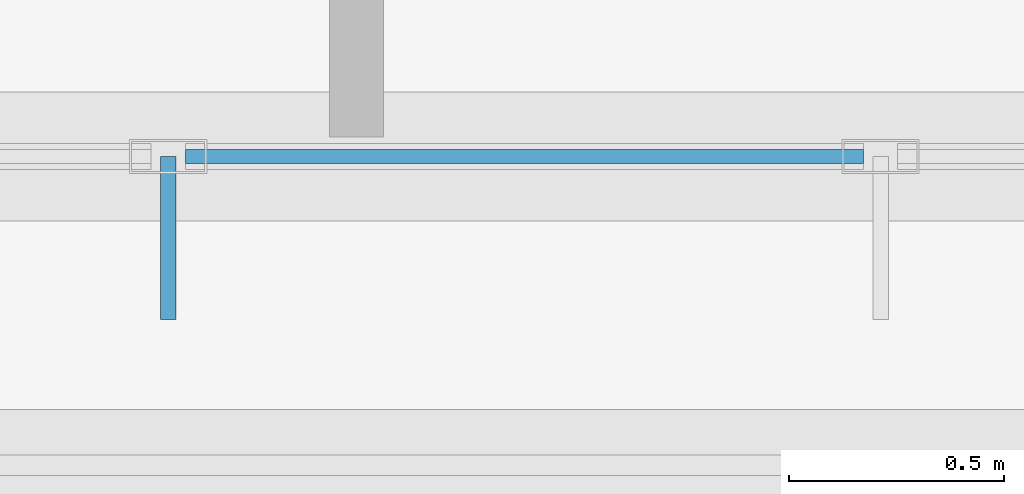
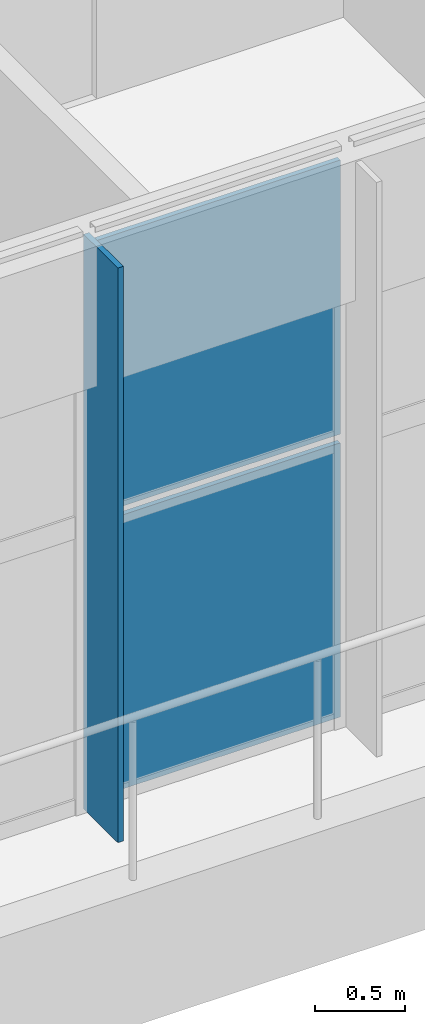
# One storey, part 30 of 44: 3 plates, 1 element without a shape of its own.
"""IFC4 building model written with IfcOpenShell, lengths in metres."""

import ifcopenshell
import ifcopenshell.guid

model = None  # the IFC model being written
_history = None  # IfcOwnerHistory: only IFC2X3 demands one
_inside = {}  # id of a spatial element -> (the spatial element, [elements in it])
_under = {}  # id of a project, library or spatial element -> (it, [spatial elements below it])
_declared = {}  # id of a project -> (the project, [libraries it declares])
_typed = {}  # id of a type object -> (the type object, [elements of that type])
_made_of = {}  # id of a material, layer set ... -> (it, [elements and type objects made of it])


def new_model(schema):
    """Start an empty IFC model of exactly this schema.

    Asked for "IFC4X3", IfcOpenShell would pick the latest addendum, in which some entities
    have other attributes; the version numbers below select the first issue.
    IFC2X3 requires an IfcOwnerHistory on every rooted entity: one is made here for all.
    """
    global model, _history
    if schema == "IFC4X3":
        model = ifcopenshell.file(schema_version=(4, 3, 0, 0))
    else:
        model = ifcopenshell.file(schema=schema)
    _inside.clear()
    _under.clear()
    _declared.clear()
    _typed.clear()
    _made_of.clear()
    _history = None
    if model.schema == "IFC2X3":
        org = make("IfcOrganization", Name="unknown")
        user = make(
            "IfcPersonAndOrganization",
            ThePerson=make("IfcPerson", FamilyName="unknown"),
            TheOrganization=org,
        )
        app = make(
            "IfcApplication",
            ApplicationDeveloper=org,
            Version="unknown",
            ApplicationFullName="unknown",
            ApplicationIdentifier="unknown",
        )
        _history = make(
            "IfcOwnerHistory",
            OwningUser=user,
            OwningApplication=app,
            ChangeAction="ADDED",
            CreationDate=0,
        )
    return model


def make(cls, **values):
    """One entity of the class cls with the attributes given. An attribute that is None is left unset."""
    return model.create_entity(
        cls, **{name: value for name, value in values.items() if value is not None}
    )


def rooted(cls, **values):
    """An entity with a GlobalId (a new one), such as an element, a storey or a relation."""
    return make(cls, GlobalId=ifcopenshell.guid.new(), OwnerHistory=_history, **values)


def si_unit(unit_type, name, prefix=None):
    """IfcSIUnit, for example si_unit("LENGTHUNIT", "METRE", prefix="MILLI")."""
    return make("IfcSIUnit", UnitType=unit_type, Prefix=prefix, Name=name)


def assignment(units):
    """IfcUnitAssignment: the units of a project."""
    return None if units is None else make("IfcUnitAssignment", Units=units)


def point(xyz):
    """IfcCartesianPoint."""
    return None if xyz is None else make("IfcCartesianPoint", Coordinates=xyz)


def direction(xyz):
    """IfcDirection."""
    return None if xyz is None else make("IfcDirection", DirectionRatios=xyz)


def frame(location, z_axis=None, x_axis=None):
    """IfcAxis2Placement3D, a coordinate frame: its origin and axes. An axis left out is left unset."""
    return make(
        "IfcAxis2Placement3D",
        Location=point(location),
        Axis=direction(z_axis),
        RefDirection=direction(x_axis),
    )


def frame_2d(location, x_axis=None):
    """IfcAxis2Placement2D, a coordinate frame in the plane: its origin and x axis."""
    return make(
        "IfcAxis2Placement2D", Location=point(location), RefDirection=direction(x_axis)
    )


def origin():
    """The frame at (0, 0, 0) with its axes left unset."""
    return frame((0.0, 0.0, 0.0))


def origin_2d():
    """The frame at (0, 0) in the plane with its x axis left unset."""
    return frame_2d((0.0, 0.0))


def place(relative_to, where):
    """IfcLocalPlacement: puts the frame where relative to a parent placement (None: the world)."""
    return make(
        "IfcLocalPlacement", PlacementRelTo=relative_to, RelativePlacement=where
    )


def context(
    kind, dimensions, precision=None, world=None, true_north=None, identifier=None
):
    """IfcGeometricRepresentationContext, for example the 3D "Model" context."""
    return make(
        "IfcGeometricRepresentationContext",
        ContextIdentifier=identifier,
        ContextType=kind,
        CoordinateSpaceDimension=dimensions,
        Precision=precision,
        WorldCoordinateSystem=world,
        TrueNorth=true_north,
    )


def subcontext(parent, identifier, kind, view, scale=None):
    """IfcGeometricRepresentationSubContext, for example "Body" below "Model"."""
    return make(
        "IfcGeometricRepresentationSubContext",
        ContextIdentifier=identifier,
        ContextType=kind,
        ParentContext=parent,
        TargetScale=scale,
        TargetView=view,
    )


def project(units=None, contexts=None):
    """IfcProject with its units and contexts."""
    return rooted(
        "IfcProject",
        Name="project",
        RepresentationContexts=contexts,
        UnitsInContext=assignment(units),
    )


def spatial(cls, under=None, at=None, **own):
    """A site, building, storey or space (cls), placed at a placement, below another one or the project."""
    s = rooted(cls, ObjectPlacement=at, **own)
    if under is not None:
        _under.setdefault(under.id(), (under, []))[1].append(s)
    return s


def polyline(points):
    """IfcPolyline through the points."""
    return make("IfcPolyline", Points=[point(p) for p in points])


def profile(cls, at=None, kind="AREA", **sizes):
    """A parametric profile (cls). Its sizes go by their IFC names, for example OverallWidth=200.0."""
    return make(cls, ProfileType=kind, Position=at, **sizes)


def rectangle(**sizes):
    """IfcRectangleProfileDef."""
    return profile("IfcRectangleProfileDef", **sizes)


def outline(outer, holes=None, kind="AREA"):
    """IfcArbitraryClosedProfileDef: a profile drawn as a closed curve; with holes, ...WithVoids."""
    if holes is None:
        return make("IfcArbitraryClosedProfileDef", ProfileType=kind, OuterCurve=outer)
    return make(
        "IfcArbitraryProfileDefWithVoids",
        ProfileType=kind,
        OuterCurve=outer,
        InnerCurves=holes,
    )


def extrude(swept, where, along, depth):
    """IfcExtrudedAreaSolid: the profile swept, set in the frame where, extruded along a direction by depth."""
    return make(
        "IfcExtrudedAreaSolid",
        SweptArea=swept,
        Position=where,
        ExtrudedDirection=direction(along),
        Depth=depth,
    )


def shape(context_of_items, identifier, shape_type, items):
    """IfcShapeRepresentation: the items that make up one representation, for example the "Body"."""
    return make(
        "IfcShapeRepresentation",
        ContextOfItems=context_of_items,
        RepresentationIdentifier=identifier,
        RepresentationType=shape_type,
        Items=items,
    )


def material(Name=None, Category=None):
    """IfcMaterial."""
    return make("IfcMaterial", Name=Name, Category=Category)


def layer(
    of_material, thickness, ventilated=None, Name=None, Category=None, Priority=None
):
    """IfcMaterialLayer: one layer of a wall or slab, of a material (None: an air gap)."""
    return make(
        "IfcMaterialLayer",
        Material=of_material,
        LayerThickness=thickness,
        IsVentilated=ventilated,
        Name=Name,
        Category=Category,
        Priority=Priority,
    )


def layer_set(layers, Name=None):
    """IfcMaterialLayerSet."""
    return make("IfcMaterialLayerSet", MaterialLayers=layers, LayerSetName=Name)


def made_of(thing, what):
    """Note that an element or type object is made of a material, layer set ...; save() writes the relation."""
    if what is not None:
        _made_of.setdefault(what.id(), (what, []))[1].append(thing)
    return thing


def type_object(cls, material=None, **own):
    """A type object (cls), such as IfcWallType, which elements share."""
    return made_of(rooted(cls, **own), material)


def element(
    cls,
    number,
    at=None,
    inside=None,
    cuts=None,
    type_object=None,
    material=None,
    context=None,
    identifier="Body",
    shape_type=None,
    held_by="IfcProductDefinitionShape",
    body=None,
    shapes=None,
    **own,
):
    """One element of the class cls, such as IfcWall. Its Tag is "e" and its number.

    at: its placement. inside: the storey or other place that contains it. cuts: it is an
    opening in that element (IfcRelVoidsElement). A single representation is given by context,
    identifier, shape_type and body (its items); several are given by shapes. held_by: the class
    of the entity that holds the representations. save() writes the other relations.
    """
    e = rooted(cls, Tag="e%d" % number, ObjectPlacement=at, **own)
    if body is not None:
        shapes = [shape(context, identifier, shape_type, body)]
    if shapes is not None:
        e.Representation = make(held_by, Representations=shapes)
    if inside is not None:
        _inside.setdefault(inside.id(), (inside, []))[1].append(e)
    if cuts is not None:
        rooted(
            "IfcRelVoidsElement", RelatingBuildingElement=cuts, RelatedOpeningElement=e
        )
    if type_object is not None:
        _typed.setdefault(type_object.id(), (type_object, []))[1].append(e)
    return made_of(e, material)


def aggregate(whole, parts):
    """IfcRelAggregates: a whole, such as a stair, and the parts it consists of."""
    return rooted("IfcRelAggregates", RelatingObject=whole, RelatedObjects=parts)


def save(model, path):
    """Write the relations noted so far, then the file.

    IfcRelAggregates (storeys below a building ...), IfcRelContainedInSpatialStructure (elements
    in a storey), IfcRelDefinesByType, IfcRelAssociatesMaterial and IfcRelDeclares: one each for
    every whole, place, type object, material and project.
    """
    for whole, parts in _under.values():
        aggregate(whole, parts)
    for where, things in _inside.values():
        rooted(
            "IfcRelContainedInSpatialStructure",
            RelatedElements=things,
            RelatingStructure=where,
        )
    for kind, things in _typed.values():
        rooted("IfcRelDefinesByType", RelatedObjects=things, RelatingType=kind)
    for what, things in _made_of.values():
        rooted("IfcRelAssociatesMaterial", RelatedObjects=things, RelatingMaterial=what)
    for by, libraries in _declared.values():
        rooted("IfcRelDeclares", RelatingContext=by, RelatedDefinitions=libraries)
    model.write(path)


model = new_model("IFC4")

# Units and contexts
model_context = context("Model", 3, precision=1e-05, world=origin(), true_north=direction((0.0, 1.0)))
body_context = subcontext(model_context, "Body", "Model", "MODEL_VIEW")
ifc_project = project(units=[si_unit("LENGTHUNIT", "METRE"), si_unit("AREAUNIT", "SQUARE_METRE"), si_unit("VOLUMEUNIT", "CUBIC_METRE"), si_unit("PLANEANGLEUNIT", "RADIAN"), si_unit("MASSUNIT", "GRAM", prefix="KILO")], contexts=[model_context])

# Site, building, storey
site_placement = place(None, origin())
site = spatial("IfcSite", under=ifc_project, at=site_placement, CompositionType="ELEMENT")
building_placement = place(site_placement, origin())
building = spatial("IfcBuilding", under=site, at=building_placement, Name="Zizhar Promenade General Hospital", CompositionType="ELEMENT")
storey_placement = place(building_placement, frame((0.0, 0.0, 34.800048828125)))
storey = spatial("IfcBuildingStorey", under=building, at=storey_placement, Name="L08", CompositionType="ELEMENT", Elevation=34.800048828125)

# Curtain wall, plates
ifc_material_1 = material(Name="Anodised aluminium 6063-T6 and low-E glass", Category="aluminium")
ifc_layer_1 = layer(ifc_material_1, 0.159912109375)
ifc_layer_set_1 = layer_set([ifc_layer_1], Name="Anodised aluminium 6063-T6 and low-E glass")
curtain_wall_type = type_object("IfcCurtainWallType", Name="CW-WARD-RIB", PredefinedType="NOTDEFINED", material=ifc_layer_set_1)
curtain_wall_placement = place(storey_placement, origin())
curtain_wall = element("IfcCurtainWall", 1, at=curtain_wall_placement, inside=storey, type_object=curtain_wall_type, Name="Ward Ribbon Curtain Wall L08-17-3", PredefinedType="NOTDEFINED")
ifc_material_2 = material(Name="Low-E solar-control glass", Category="glass")
ifc_layer_2 = layer(ifc_material_2, 0.031982421875)
ifc_layer_set_2 = layer_set([ifc_layer_2], Name="Low-E solar-control glass")
plate_type_1 = type_object("IfcPlateType", Name="CWP-GLZ-32", PredefinedType="CURTAIN_PANEL", material=ifc_layer_set_2)
plate_1_placement = place(storey_placement, frame((73.27001953125, 0.0, 0.06005859375), z_axis=(0.0, 0.0, 1.0), x_axis=(-1.0, 0.0, 0.0)))
plate_1 = element("IfcPlate", 2, at=plate_1_placement, type_object=plate_type_1, Name="CW-13 panel 3.1", PredefinedType="CURTAIN_PANEL", context=body_context, shape_type="SweptSolid", body=[
    extrude(rectangle(XDim=1.580078125, YDim=0.031982421875, at=origin_2d()), origin(), (0.0, 0.0, 1.0), 1.860107421875),
])
plate_2_placement = place(storey_placement, frame((73.27001953125, 0.0, 1.97998046875), z_axis=(0.0, 0.0, 1.0), x_axis=(-1.0, 0.0, 0.0)))
plate_2 = element("IfcPlate", 3, at=plate_2_placement, type_object=plate_type_1, Name="CW-13 panel 3.2", PredefinedType="CURTAIN_PANEL", context=body_context, shape_type="SweptSolid", body=[
    extrude(rectangle(XDim=1.580078125, YDim=0.031982421875, at=origin_2d()), origin(), (0.0, 0.0, 1.0), 1.860107421875),
])
aggregate(curtain_wall, [plate_1, plate_2])

# Plate
ifc_material_3 = material(Name="Anodised aluminium 6063-T6", Category="aluminium")
ifc_layer_3 = layer(ifc_material_3, 0.035888671875)
ifc_layer_set_3 = layer_set([ifc_layer_3], Name="Anodised aluminium 6063-T6")
plate_type_2 = type_object("IfcPlateType", Name="FIN-ALU-380", PredefinedType="USERDEFINED", material=ifc_layer_set_3)
plate_3_placement = place(storey_placement, origin())
element("IfcPlate", 4, at=plate_3_placement, inside=storey, type_object=plate_type_2, Name="Ward Ribbon Curtain Wall L08-17-3 Solar Fin 3", ObjectType="SOLAR_SHADE", PredefinedType="USERDEFINED", context=body_context, shape_type="SweptSolid", body=[
    extrude(outline(polyline([(72.4580078125, 0.0), (72.422119140625, 0.0), (72.422119140625, -0.3798828125), (72.4580078125, -0.3798828125), (72.4580078125, 0.0)])), origin(), (0.0, 0.0, 1.0), 3.89990234375),
])

save(model, "model.ifc")
